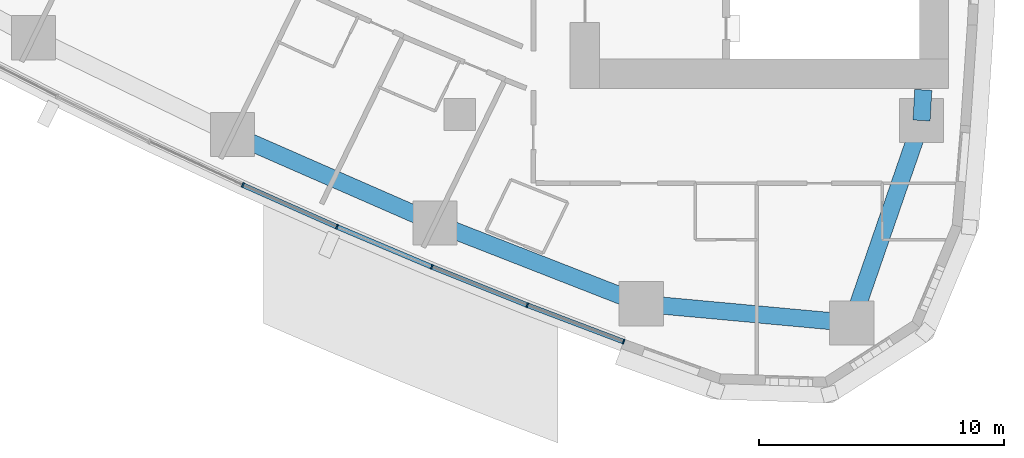
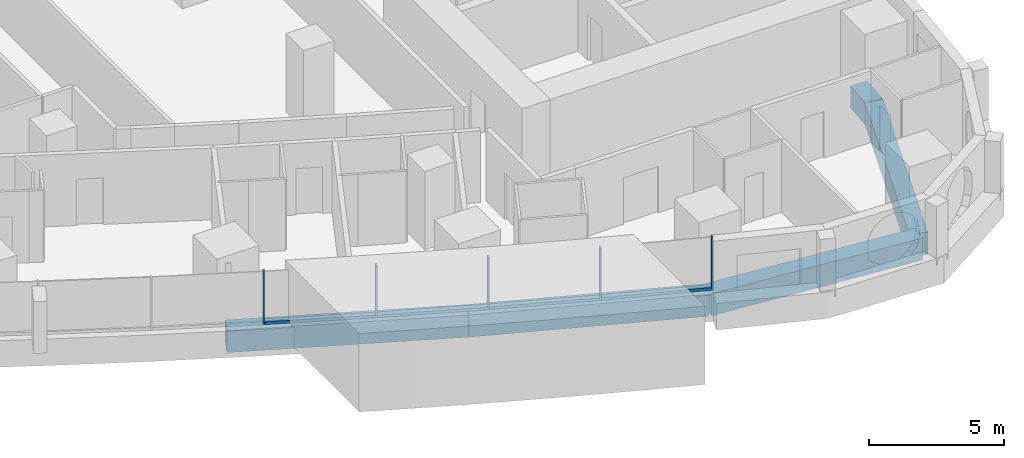
# One storey, part 3 of 19: 9 members, 5 beams, 3 elements without a shape of their own.
"""IFC4 building model written with IfcOpenShell, lengths in metres."""

from ifc_helpers import new_model, si_unit, direction, frame, origin, origin_2d, place, context, subcontext, project, spatial, rectangle, extrude, material, layer, layer_set, material_profile, profile_set, type_object, element, aggregate, save


model = new_model("IFC4")

# Units and contexts
model_context = context("Model", 3, precision=1e-05, world=origin(), true_north=direction((0.0, 1.0)))
body_context = subcontext(model_context, "Body", "Model", "MODEL_VIEW")
ifc_project = project(units=[si_unit("LENGTHUNIT", "METRE"), si_unit("AREAUNIT", "SQUARE_METRE"), si_unit("VOLUMEUNIT", "CUBIC_METRE"), si_unit("PLANEANGLEUNIT", "RADIAN"), si_unit("MASSUNIT", "GRAM", prefix="KILO")], contexts=[model_context])

# Site, building, storey
site_placement = place(None, origin())
site = spatial("IfcSite", under=ifc_project, at=site_placement, CompositionType="ELEMENT")
building_placement = place(site_placement, origin())
building = spatial("IfcBuilding", under=site, at=building_placement, Name="Ostrand Prow Hotel Tower", CompositionType="ELEMENT")
storey_placement = place(building_placement, frame((0.0, 0.0, 46.699951171875)))
storey = spatial("IfcBuildingStorey", under=building, at=storey_placement, Name="L09", CompositionType="ELEMENT", Elevation=46.699951171875)

# Beams
ifc_material_1 = material(Name="Concrete C80/95", Category="concrete")
ifc_material_profile_1 = material_profile(ifc_material_1, rectangle(XDim=0.699951171875, YDim=1.0, at=origin_2d()), Name="RC 700x1000")
ifc_profile_set_1 = profile_set([ifc_material_profile_1], Name="Concrete C80/95")
beam_type = type_object("IfcBeamType", Name="Edge beam 700x1000 C80/95", PredefinedType="SPANDREL", material=ifc_profile_set_1)
for number, where, z_axis, x_axis, name in (
    (1, (35.7412109375, -18.814208984375, -0.800048828125), (0.916095776162, -0.400959510297, 0.0), (0.400959510297, 0.916095776162, 0.0), "Edge beam S4-S5"),
    (2, (43.997802734375, -22.427978515625, -0.800048828125), (0.931329480916, -0.364177701098, 0.0), (0.364177701098, 0.931329480916, 0.0), "Edge beam S5-S6"),
):
    element("IfcBeam", number, at=place(storey_placement, frame(where, z_axis=z_axis, x_axis=x_axis)), inside=storey, type_object=beam_type, Name=name, PredefinedType="SPANDREL", context=body_context, shape_type="SweptSolid", body=[
        extrude(rectangle(XDim=0.699951171875, YDim=1.0, at=origin_2d()), origin(), (0.0, 0.0, 1.0), 9.0126953125),
    ])
beam_1_placement = place(storey_placement, frame((52.3916015625, -25.710205078125, -0.800048828125), z_axis=(0.995800189514, -0.091553167961, 0.0), x_axis=(0.091553167961, 0.995800189514, 0.0)))
element("IfcBeam", 3, at=beam_1_placement, inside=storey, type_object=beam_type, Name="Edge beam S6-SE", PredefinedType="SPANDREL", context=body_context, shape_type="SweptSolid", body=[
    extrude(rectangle(XDim=0.699951171875, YDim=1.0, at=origin_2d()), origin(), (0.0, 0.0, 1.0), 8.610595703125),
])
beam_2_placement = place(storey_placement, frame((60.966064453125, -26.49853515625, -0.800048828125), z_axis=(0.326263961413, 0.945278703602, 0.0), x_axis=(-0.945278703602, 0.326263961413, 0.0)))
element("IfcBeam", 4, at=beam_2_placement, inside=storey, type_object=beam_type, Name="Edge beam SE-B1", PredefinedType="SPANDREL", context=body_context, shape_type="SweptSolid", body=[
    extrude(rectangle(XDim=0.699951171875, YDim=1.0, at=origin_2d()), origin(), (0.0, 0.0, 1.0), 8.727294921875),
])
beam_3_placement = place(storey_placement, frame((63.8134765625, -18.248779296875, -0.800048828125), z_axis=(0.056215946509, 0.998418633319, 0.0), x_axis=(-0.998418633319, 0.056215946509, 0.0)))
element("IfcBeam", 5, at=beam_3_placement, inside=storey, type_object=beam_type, Name="Edge beam B1-B2", PredefinedType="SPANDREL", context=body_context, shape_type="SweptSolid", body=[
    extrude(rectangle(XDim=0.699951171875, YDim=1.0, at=origin_2d()), origin(), (0.0, 0.0, 1.0), 1.250732421875),
])

# Curtain wall, member
ifc_material_2 = material(Name="Insulated glass in bronze anodised frame", Category="glass")
ifc_layer = layer(ifc_material_2, 0.199951171875)
ifc_layer_set = layer_set([ifc_layer], Name="Insulated glass in bronze anodised frame")
curtain_wall_type = type_object("IfcCurtainWallType", Name="Strip curtain wall, fritted glass over bronze spandrel", PredefinedType="NOTDEFINED", material=ifc_layer_set)
curtain_wall_1_placement = place(storey_placement, origin())
curtain_wall_1 = element("IfcCurtainWall", 6, at=curtain_wall_1_placement, inside=storey, type_object=curtain_wall_type, Name="CW1 run CWS3", PredefinedType="NOTDEFINED")
ifc_material_3 = material(Name="Bronze anodised aluminium", Category="aluminium")
ifc_material_profile_2 = material_profile(ifc_material_3, rectangle(XDim=0.199951171875, YDim=0.06005859375, at=origin_2d()), Name="Mullion 60x200 bronze anodised aluminium")
ifc_profile_set_2 = profile_set([ifc_material_profile_2], Name="Bronze anodised aluminium")
member_type_1 = type_object("IfcMemberType", Name="Mullion 60x200 bronze anodised aluminium", PredefinedType="MULLION", material=ifc_profile_set_2)
member_1_placement = place(storey_placement, frame((36.162109375, -20.876953125, 0.900146484375), z_axis=(0.0, 0.0, 1.0), x_axis=(0.422529678615, 0.906349088757, 0.0)))
member_1 = element("IfcMember", 7, at=member_1_placement, type_object=member_type_1, Name="CW1 mullion 3", PredefinedType="MULLION", context=body_context, shape_type="SweptSolid", body=[
    extrude(rectangle(XDim=0.199951171875, YDim=0.06005859375, at=origin_2d()), origin(), (0.0, 0.0, 1.0), 2.349853515625),
])
aggregate(curtain_wall_1, [member_1])

# Curtain wall, members
curtain_wall_2_placement = place(storey_placement, origin())
curtain_wall_2 = element("IfcCurtainWall", 8, at=curtain_wall_2_placement, inside=storey, type_object=curtain_wall_type, Name="CW1 run CWS4", PredefinedType="NOTDEFINED")
member_2_placement = place(storey_placement, frame((39.99560546875, -22.5791015625, 0.900146484375), z_axis=(0.0, 0.0, 1.0), x_axis=(0.388892418709, 0.921283173987, 0.0)))
member_2 = element("IfcMember", 9, at=member_2_placement, type_object=member_type_1, Name="CW1 mullion 2", PredefinedType="MULLION", context=body_context, shape_type="SweptSolid", body=[
    extrude(rectangle(XDim=0.199951171875, YDim=0.06005859375, at=origin_2d()), origin(), (0.0, 0.0, 1.0), 2.349853515625),
])
member_3_placement = place(storey_placement, frame((43.859619140625, -24.210205078125, 0.900146484375), z_axis=(0.0, 0.0, 1.0), x_axis=(0.388892418709, 0.921283173987, 0.0)))
member_3 = element("IfcMember", 10, at=member_3_placement, type_object=member_type_1, Name="CW1 mullion 3", PredefinedType="MULLION", context=body_context, shape_type="SweptSolid", body=[
    extrude(rectangle(XDim=0.199951171875, YDim=0.06005859375, at=origin_2d()), origin(), (0.0, 0.0, 1.0), 2.349853515625),
])

curtain_wall_3_placement = place(storey_placement, origin())
curtain_wall_3 = element("IfcCurtainWall", 11, at=curtain_wall_3_placement, inside=storey, type_object=curtain_wall_type, Name="CW1 run CWS5", PredefinedType="NOTDEFINED")
member_4_placement = place(storey_placement, frame((47.7529296875, -25.769775390625, 0.900146484375), z_axis=(0.0, 0.0, 1.0), x_axis=(0.354728407072, 0.934969388384, 0.0)))
member_4 = element("IfcMember", 12, at=member_4_placement, type_object=member_type_1, Name="CW1 mullion 2", PredefinedType="MULLION", context=body_context, shape_type="SweptSolid", body=[
    extrude(rectangle(XDim=0.199951171875, YDim=0.06005859375, at=origin_2d()), origin(), (0.0, 0.0, 1.0), 2.349853515625),
])
member_5_placement = place(storey_placement, frame((51.674560546875, -27.2578125, 0.900146484375), z_axis=(0.0, 0.0, 1.0), x_axis=(0.354728407072, 0.934969388384, 0.0)))
member_5 = element("IfcMember", 13, at=member_5_placement, type_object=member_type_1, Name="CW1 mullion 3", PredefinedType="MULLION", context=body_context, shape_type="SweptSolid", body=[
    extrude(rectangle(XDim=0.199951171875, YDim=0.06005859375, at=origin_2d()), origin(), (0.0, 0.0, 1.0), 2.349853515625),
])

# Member
ifc_material_4 = material(Name="Bronze anodised aluminium", Category="aluminium")
ifc_material_profile_3 = material_profile(ifc_material_4, rectangle(XDim=0.199951171875, YDim=0.1201171875, at=origin_2d()), Name="Transom 120x200 bronze anodised aluminium")
ifc_profile_set_3 = profile_set([ifc_material_profile_3], Name="Bronze anodised aluminium")
member_type_2 = type_object("IfcMemberType", Name="Transom 120x200 bronze anodised aluminium", PredefinedType="USERDEFINED", material=ifc_profile_set_3)
member_6_placement = place(storey_placement, frame((36.189453125, -20.88916015625, 0.9599609375), z_axis=(0.913957599094, -0.405809693156, 0.0), x_axis=(0.405809693156, 0.913957599094, 0.0)))
member_6 = element("IfcMember", 14, at=member_6_placement, type_object=member_type_2, Name="CW1 transom 1.1", ObjectType="TRANSOM", PredefinedType="USERDEFINED", context=body_context, shape_type="SweptSolid", body=[
    extrude(rectangle(XDim=0.199951171875, YDim=0.1201171875, at=origin_2d()), origin(), (0.0, 0.0, 1.0), 4.13427734375),
])

member_7_placement = place(storey_placement, frame((40.023193359375, -22.5908203125, 0.9599609375), z_axis=(0.921284828297, -0.388888499637, 0.0), x_axis=(0.388888499637, 0.921284828297, 0.0)))
member_7 = element("IfcMember", 15, at=member_7_placement, type_object=member_type_2, Name="CW1 transom 2.1", ObjectType="TRANSOM", PredefinedType="USERDEFINED", context=body_context, shape_type="SweptSolid", body=[
    extrude(rectangle(XDim=0.199951171875, YDim=0.1201171875, at=origin_2d()), origin(), (0.0, 0.0, 1.0), 4.134033203125),
])

aggregate(curtain_wall_2, [member_2, member_3, member_6, member_7])

member_8_placement = place(storey_placement, frame((43.887451171875, -24.22119140625, 0.9599609375), z_axis=(0.928264761225, -0.371920062739, 0.0), x_axis=(0.371920062739, 0.928264761225, 0.0)))
member_8 = element("IfcMember", 16, at=member_8_placement, type_object=member_type_2, Name="CW1 transom 1.1", ObjectType="TRANSOM", PredefinedType="USERDEFINED", context=body_context, shape_type="SweptSolid", body=[
    extrude(rectangle(XDim=0.199951171875, YDim=0.1201171875, at=origin_2d()), origin(), (0.0, 0.0, 1.0), 4.13427734375),
])

member_9_placement = place(storey_placement, frame((47.781005859375, -25.780517578125, 0.9599609375), z_axis=(0.93497051437, -0.354725439261, 0.0), x_axis=(0.354725439261, 0.93497051437, 0.0)))
member_9 = element("IfcMember", 17, at=member_9_placement, type_object=member_type_2, Name="CW1 transom 2.1", ObjectType="TRANSOM", PredefinedType="USERDEFINED", context=body_context, shape_type="SweptSolid", body=[
    extrude(rectangle(XDim=0.199951171875, YDim=0.1201171875, at=origin_2d()), origin(), (0.0, 0.0, 1.0), 4.13427734375),
])

aggregate(curtain_wall_3, [member_4, member_5, member_8, member_9])

save(model, "model.ifc")
